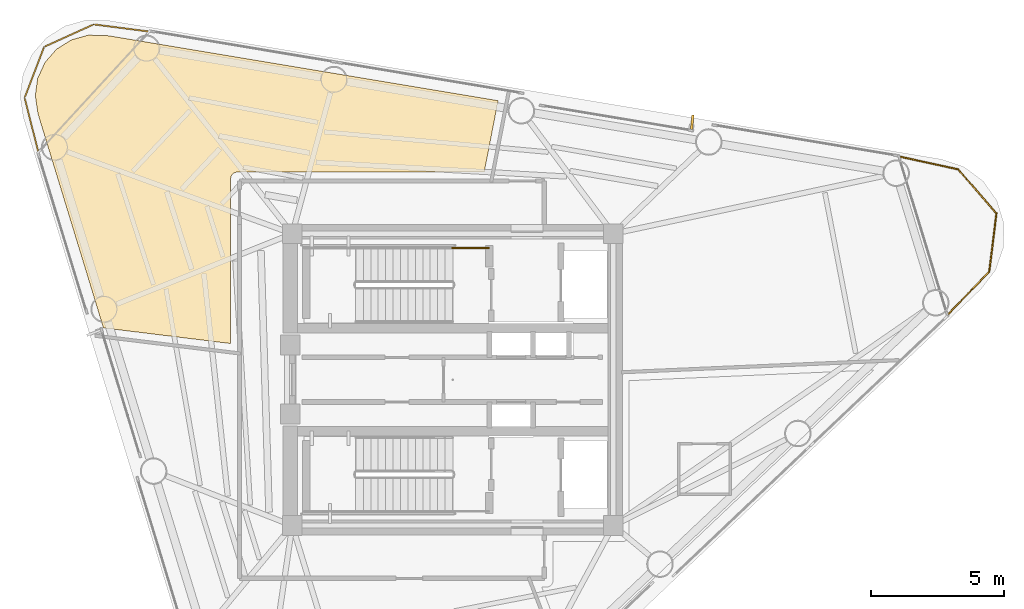
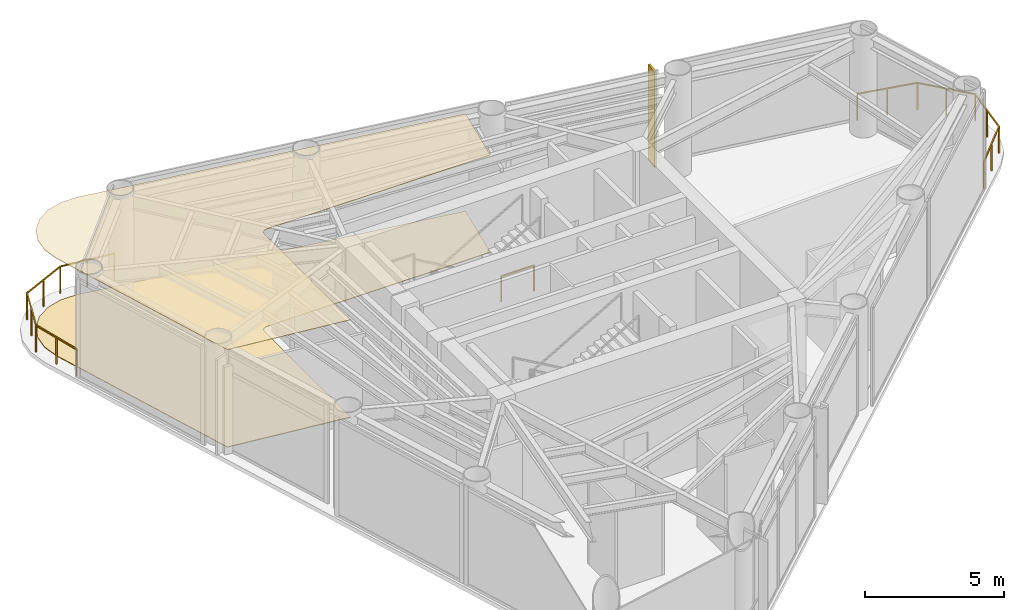
# One storey, part 11 of 11: 3 railings, 2 coverings, 1 shading device.
"""IFC4 building model written with IfcOpenShell, lengths in metres."""

from ifc_helpers import new_model, si_unit, direction, frame, origin, origin_2d, place, context, subcontext, project, spatial, polyline, rectangle, outline, extrude, source, transform, mapped, material, layer, layer_set, material_profile, profile_set, type_object, element, save


model = new_model("IFC4")

# Units and contexts
model_context = context("Model", 3, precision=1e-05, world=origin(), true_north=direction((0.0, 1.0)))
body_context = subcontext(model_context, "Body", "Model", "MODEL_VIEW")
ifc_project = project(units=[si_unit("LENGTHUNIT", "METRE"), si_unit("AREAUNIT", "SQUARE_METRE"), si_unit("VOLUMEUNIT", "CUBIC_METRE"), si_unit("PLANEANGLEUNIT", "RADIAN"), si_unit("MASSUNIT", "GRAM", prefix="KILO")], contexts=[model_context])

# Site, building, storey
site_placement = place(None, origin())
site = spatial("IfcSite", under=ifc_project, at=site_placement, CompositionType="ELEMENT")
building_placement = place(site_placement, origin())
building = spatial("IfcBuilding", under=site, at=building_placement, Name="Yunling Apex Tower", CompositionType="ELEMENT")
storey_placement = place(building_placement, frame((0.0, 0.0, 224.14990234375)))
storey = spatial("IfcBuildingStorey", under=building, at=storey_placement, Name="L54", CompositionType="ELEMENT", Elevation=224.14990234375)

# Coverings
ifc_material_1 = material(Name="Acoustic mineral fibre ceiling")
ifc_layer_1 = layer(ifc_material_1, 0.02490234375)
ifc_layer_set_1 = layer_set([ifc_layer_1], Name="Acoustic mineral fibre ceiling")
covering_type_1 = type_object("IfcCoveringType", Name="CV-CLG-1", PredefinedType="CEILING", material=ifc_layer_set_1)
covering_1_placement = place(storey_placement, frame((0.0, 0.0, 4.295166015625)))
element("IfcCovering", 1, at=covering_1_placement, inside=storey, type_object=covering_type_1, Name="CV-CL-SP-L54-R04", PredefinedType="CEILING", context=body_context, shape_type="SweptSolid", body=[
    extrude(outline(polyline([(-15.736083984375, 10.70263671875), (-15.64453125, 11.357177734375), (-15.369384765625, 11.9580078125), (-14.93408203125, 12.455078125), (-14.37451171875, 12.806640625), (-13.737548828125, 12.983154296875), (-13.034912109375, 12.96923828125), (1.707275390625, 10.5126953125), (1.183837890625, 7.820068359375), (-8.123779296875, 7.820068359375), (-8.14501953125, 7.8193359375), (-8.170654296875, 7.81494140625), (-8.1923828125, 7.8095703125), (-8.21484375, 7.801513671875), (-8.23828125, 7.790771484375), (-8.260009765625, 7.77734375), (-8.27880859375, 7.763427734375), (-8.296875, 7.746826171875), (-8.3134765625, 7.728759765625), (-8.327392578125, 7.7099609375), (-8.3408203125, 7.688232421875), (-8.3515625, 7.664794921875), (-8.359619140625, 7.642578125), (-8.364990234375, 7.62060546875), (-8.369384765625, 7.594970703125), (-8.3701171875, 7.57373046875), (-8.3701171875, 1.360107421875), (-13.166015625, 1.948974609375), (-15.6298828125, 10.008056640625), (-15.736083984375, 10.70263671875)])), origin(), (0.0, 0.0, 1.0), 0.02490234375),
])
ifc_material_2 = material(Name="Polished granite stone", Category="masonry")
ifc_layer_2 = layer(ifc_material_2, 0.030029296875)
ifc_layer_set_2 = layer_set([ifc_layer_2], Name="Polished granite stone")
covering_type_2 = type_object("IfcCoveringType", Name="CV-FLR-1", PredefinedType="FLOORING", material=ifc_layer_set_2)
covering_2_placement = place(storey_placement, origin())
element("IfcCovering", 2, at=covering_2_placement, inside=storey, type_object=covering_type_2, Name="CV-FL-SP-L54-R04", PredefinedType="FLOORING", context=body_context, shape_type="SweptSolid", body=[
    extrude(outline(polyline([(-15.736083984375, 10.70263671875), (-15.64453125, 11.357177734375), (-15.369384765625, 11.9580078125), (-14.93408203125, 12.455078125), (-14.37451171875, 12.806640625), (-13.737548828125, 12.983154296875), (-13.034912109375, 12.96923828125), (1.707275390625, 10.5126953125), (1.183837890625, 7.820068359375), (-8.123779296875, 7.820068359375), (-8.14501953125, 7.8193359375), (-8.170654296875, 7.81494140625), (-8.1923828125, 7.8095703125), (-8.21484375, 7.801513671875), (-8.23828125, 7.790771484375), (-8.260009765625, 7.77734375), (-8.27880859375, 7.763427734375), (-8.296875, 7.746826171875), (-8.3134765625, 7.728759765625), (-8.327392578125, 7.7099609375), (-8.3408203125, 7.688232421875), (-8.3515625, 7.664794921875), (-8.359619140625, 7.642578125), (-8.364990234375, 7.62060546875), (-8.369384765625, 7.594970703125), (-8.3701171875, 7.57373046875), (-8.3701171875, 1.360107421875), (-13.166015625, 1.948974609375), (-15.6298828125, 10.008056640625), (-15.736083984375, 10.70263671875)])), origin(), (0.0, 0.0, 1.0), 0.030029296875),
])

# Railings
ifc_material_3 = material(Name="Bronze anodised aluminium", Category="aluminium")
railing_type_1 = type_object("IfcRailingType", Name="RL-BAL-1200", PredefinedType="BALUSTRADE", material=ifc_material_3)
railing_1_placement = place(storey_placement, frame((16.8173828125, 8.41064453125, 0.0)))
element("IfcRailing", 3, at=railing_1_placement, inside=storey, type_object=railing_type_1, Name="RL-CRNSILL-L54-1", PredefinedType="BALUSTRADE", context=body_context, shape_type="SweptSolid", body=[
    extrude(rectangle(XDim=0.0439453125, YDim=0.0439453125, at=origin_2d()), origin(), (0.0, 0.0, 1.0), 1.199951171875),
    extrude(rectangle(XDim=0.0439453125, YDim=0.0439453125, at=origin_2d()), frame((2.2275390625, -0.484130859375, 0.0)), (0.0, 0.0, 1.0), 1.199951171875),
    extrude(rectangle(XDim=0.050048828125, YDim=0.050048828125, at=origin_2d()), frame((0.037353515625, -0.008056640625, 1.1748046875), z_axis=(0.977186995442, -0.212380733446, 0.0), x_axis=(0.212380733446, 0.977186995442, 0.0)), (0.0, 0.0, 1.0), 2.202880859375),
    extrude(rectangle(XDim=0.0439453125, YDim=0.0439453125, at=origin_2d()), frame((1.11376953125, -0.2421875, 0.0)), (0.0, 0.0, 1.0), 1.14599609375),
    extrude(rectangle(XDim=0.0439453125, YDim=0.0439453125, at=origin_2d()), frame((3.673828125, -2.145751953125, 0.0)), (0.0, 0.0, 1.0), 1.199951171875),
    extrude(rectangle(XDim=0.050048828125, YDim=0.050048828125, at=origin_2d()), frame((2.252685546875, -0.512939453125, 1.1748046875), z_axis=(0.656540826245, -0.754290490112, 0.0), x_axis=(0.754290490112, 0.656540826245, 0.0)), (0.0, 0.0, 1.0), 2.126220703125),
    extrude(rectangle(XDim=0.0439453125, YDim=0.0439453125, at=origin_2d()), frame((2.95068359375, -1.31494140625, 0.0)), (0.0, 0.0, 1.0), 1.14599609375),
    extrude(rectangle(XDim=0.0439453125, YDim=0.0439453125, at=origin_2d()), frame((3.404052734375, -4.332275390625, 0.0)), (0.0, 0.0, 1.0), 1.199951171875),
    extrude(rectangle(XDim=0.050048828125, YDim=0.050048828125, at=origin_2d()), frame((3.669189453125, -2.183837890625, 1.1748046875), z_axis=(-0.122452455401, -0.992474380609, 0.0), x_axis=(0.992474380609, -0.122452455401, 0.0)), (0.0, 0.0, 1.0), 2.12646484375),
    extrude(rectangle(XDim=0.0439453125, YDim=0.0439453125, at=origin_2d()), frame((3.5390625, -3.239013671875, 0.0)), (0.0, 0.0, 1.0), 1.14599609375),
    extrude(rectangle(XDim=0.0439453125, YDim=0.0439453125, at=origin_2d()), frame((1.828125, -5.979248046875, 0.0)), (0.0, 0.0, 1.0), 1.199951171875),
    extrude(rectangle(XDim=0.050048828125, YDim=0.050048828125, at=origin_2d()), frame((3.37744140625, -4.35986328125, 1.1748046875), z_axis=(-0.691351518359, -0.722518565895, 0.0), x_axis=(0.722518565895, -0.691351518359, 0.0)), (0.0, 0.0, 1.0), 2.202880859375),
    extrude(rectangle(XDim=0.0439453125, YDim=0.0439453125, at=origin_2d()), frame((2.6162109375, -5.15576171875, 0.0)), (0.0, 0.0, 1.0), 1.14599609375),
])
railing_2_placement = place(storey_placement, frame((-15.61962890625, 8.571533203125, 0.0)))
element("IfcRailing", 4, at=railing_2_placement, inside=storey, type_object=railing_type_1, Name="RL-CRNSILL-L54-2", PredefinedType="BALUSTRADE", context=body_context, shape_type="SweptSolid", body=[
    extrude(rectangle(XDim=0.0439453125, YDim=0.0439453125, at=origin_2d()), origin(), (0.0, 0.0, 1.0), 1.199951171875),
    extrude(rectangle(XDim=0.0439453125, YDim=0.0439453125, at=origin_2d()), frame((-0.5185546875, 2.04931640625, 0.0)), (0.0, 0.0, 1.0), 1.199951171875),
    extrude(rectangle(XDim=0.050048828125, YDim=0.050048828125, at=origin_2d()), frame((-0.009521484375, 0.037109375, 1.1748046875), z_axis=(-0.245306459502, 0.969445584304, 0.0), x_axis=(-0.969445584304, -0.245306459502, 0.0)), (0.0, 0.0, 1.0), 2.037353515625),
    extrude(rectangle(XDim=0.0439453125, YDim=0.0439453125, at=origin_2d()), frame((-0.25927734375, 1.024658203125, 0.0)), (0.0, 0.0, 1.0), 1.14599609375),
    extrude(rectangle(XDim=0.0439453125, YDim=0.0439453125, at=origin_2d()), frame((0.216552734375, 3.970458984375, 0.0)), (0.0, 0.0, 1.0), 1.199951171875),
    extrude(rectangle(XDim=0.050048828125, YDim=0.050048828125, at=origin_2d()), frame((-0.5048828125, 2.085205078125, 1.1748046875), z_axis=(0.357371966157, 0.933962139385, 0.0), x_axis=(-0.933962139385, 0.357371966157, 0.0)), (0.0, 0.0, 1.0), 1.980224609375),
    extrude(rectangle(XDim=0.0439453125, YDim=0.0439453125, at=origin_2d()), frame((-0.15087890625, 3.009765625, 0.0)), (0.0, 0.0, 1.0), 1.14599609375),
    extrude(rectangle(XDim=0.0439453125, YDim=0.0439453125, at=origin_2d()), frame((2.083740234375, 4.817626953125, 0.0)), (0.0, 0.0, 1.0), 1.199951171875),
    extrude(rectangle(XDim=0.050048828125, YDim=0.050048828125, at=origin_2d()), frame((0.25146484375, 3.986328125, 1.1748046875), z_axis=(0.910651704015, 0.413174870938, 0.0), x_axis=(-0.413174870938, 0.910651704015, 0.0)), (0.0, 0.0, 1.0), 1.9736328125),
    extrude(rectangle(XDim=0.0439453125, YDim=0.0439453125, at=origin_2d()), frame((1.150146484375, 4.39404296875, 0.0)), (0.0, 0.0, 1.0), 1.14599609375),
    extrude(rectangle(XDim=0.0439453125, YDim=0.0439453125, at=origin_2d()), frame((4.180908203125, 4.54736328125, 0.0)), (0.0, 0.0, 1.0), 1.199951171875),
    extrude(rectangle(XDim=0.050048828125, YDim=0.050048828125, at=origin_2d()), frame((2.121826171875, 4.812744140625, 1.1748046875), z_axis=(0.99179818069, -0.127813805125, 0.0), x_axis=(0.127813805125, 0.99179818069, 0.0)), (0.0, 0.0, 1.0), 2.037841796875),
    extrude(rectangle(XDim=0.0439453125, YDim=0.0439453125, at=origin_2d()), frame((3.13232421875, 4.6826171875, 0.0)), (0.0, 0.0, 1.0), 1.14599609375),
])
ifc_material_4 = material(Name="Steel Q355B", Category="steel")
railing_type_2 = type_object("IfcRailingType", Name="RL-GRD-1150", PredefinedType="GUARDRAIL", material=ifc_material_4)
railing_3_placement = place(storey_placement, frame((1.35009765625, 4.9599609375, 0.0)))
element("IfcRailing", 5, at=railing_3_placement, inside=storey, type_object=railing_type_2, Name="L54 ST-1 stair guard 6", PredefinedType="GUARDRAIL", context=body_context, shape_type="SweptSolid", body=[
    extrude(rectangle(XDim=0.0439453125, YDim=0.0439453125, at=origin_2d()), origin(), (0.0, 0.0, 1.0), 1.14990234375),
    extrude(rectangle(XDim=0.0439453125, YDim=0.0439453125, at=origin_2d()), frame((-1.360107421875, 0.0, 0.0)), (0.0, 0.0, 1.0), 1.14990234375),
    extrude(rectangle(XDim=0.050048828125, YDim=0.050048828125, at=origin_2d()), frame((-0.038330078125, 0.0, 1.125), z_axis=(-1.0, 0.0, 0.0), x_axis=(0.0, -1.0, 0.0)), (0.0, 0.0, 1.0), 1.283447265625),
])

# Shading device
ifc_material_profile = material_profile(ifc_material_3, rectangle(XDim=0.0849609375, YDim=0.550048828125, at=origin_2d()))
ifc_profile_set = profile_set([ifc_material_profile], Name="Bronze anodised aluminium")
shading_device_type = type_object("IfcShadingDeviceType", Name="FN-BRZ-3", PredefinedType="USERDEFINED", material=ifc_profile_set)
shared_shape = source(origin(), body_context, "Body", "SweptSolid", [
    extrude(rectangle(XDim=0.0849609375, YDim=0.550048828125, at=origin_2d()), origin(), (0.0, 0.0, 1.0), 4.199951171875),
])
shading_device_placement = place(storey_placement, frame((9.025146484375, 9.7041015625, 0.06005859375), z_axis=(0.0, 0.0, 1.0), x_axis=(-0.995038220239, 0.099493418189, 0.0)))
element("IfcShadingDevice", 6, at=shading_device_placement, inside=storey, type_object=shading_device_type, Name="CW-L54-F2-B2-FIN-01", ObjectType="FIN", PredefinedType="USERDEFINED", context=body_context, shape_type="MappedRepresentation", body=[
    mapped(shared_shape, transform((0.0, 0.0, 0.0), scale=1.0)),
])

save(model, "model.ifc")
